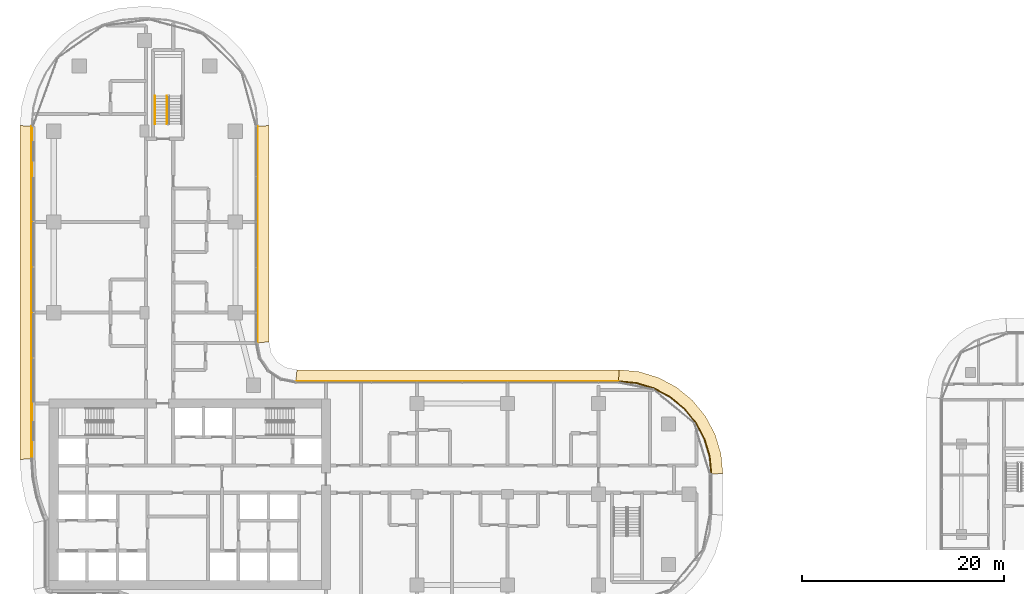
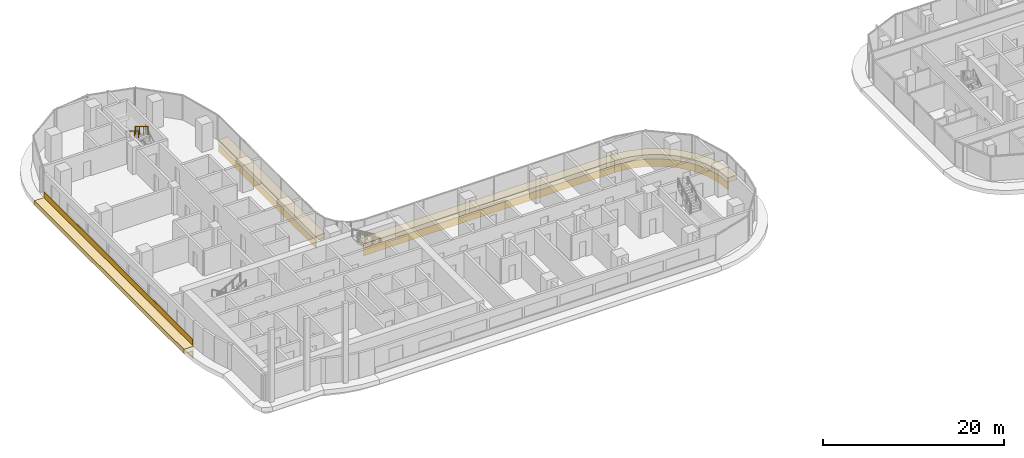
# One storey, part 32 of 36: 9 coverings, 2 railings.
"""IFC4 building model written with IfcOpenShell, lengths in metres."""

from ifc_helpers import new_model, si_unit, direction, frame, origin, origin_2d, place, context, subcontext, project, spatial, polyline, rectangle, circle, outline, extrude, material, layer, layer_set, type_object, element, save


model = new_model("IFC4")

# Units and contexts
model_context = context("Model", 3, precision=1e-05, world=origin(), true_north=direction((0.0, 1.0)))
body_context = subcontext(model_context, "Body", "Model", "MODEL_VIEW")
ifc_project = project(units=[si_unit("LENGTHUNIT", "METRE"), si_unit("AREAUNIT", "SQUARE_METRE"), si_unit("VOLUMEUNIT", "CUBIC_METRE"), si_unit("PLANEANGLEUNIT", "RADIAN"), si_unit("MASSUNIT", "GRAM", prefix="KILO")], contexts=[model_context])

# Site, building, storey
site_placement = place(None, origin())
site = spatial("IfcSite", under=ifc_project, at=site_placement, CompositionType="ELEMENT")
building_placement = place(site_placement, origin())
building = spatial("IfcBuilding", under=site, at=building_placement, Name="Ogive Portal Towers", CompositionType="ELEMENT")
storey_placement = place(building_placement, frame((0.0, 0.0, 52.0)))
storey = spatial("IfcBuildingStorey", under=building, at=storey_placement, Name="L11", CompositionType="ELEMENT", Elevation=52.0)

# Railings
ifc_material_1 = material(Name="Stainless steel balustrade", Category="steel")
railing_type_1 = type_object("IfcRailingType", Name="INT-GUARD", PredefinedType="GUARDRAIL", material=ifc_material_1)
railing_1_placement = place(storey_placement, frame((42.75, 70.0, 2.01806640625)))
element("IfcRailing", 1, at=railing_1_placement, inside=storey, type_object=railing_type_1, Name="L11 ST-A3 stair guard 3", PredefinedType="GUARDRAIL", context=body_context, shape_type="SweptSolid", body=[
    extrude(circle(Radius=0.02392578125, at=origin_2d()), frame((0.0, 0.0, 1.076171875), z_axis=(0.0, -0.857242210791, 0.514913383045), x_axis=(1.0, 0.0, 0.0)), (0.0, 0.0, 1.0), 3.266357421875),
    extrude(circle(Radius=0.02099609375, at=origin_2d()), origin(), (0.0, 0.0, 1.0), 1.052001953125),
    extrude(circle(Radius=0.02099609375, at=origin_2d()), frame((0.0, -0.933349609375, 0.560546875)), (0.0, 0.0, 1.0), 1.052001953125),
    extrude(circle(Radius=0.02099609375, at=origin_2d()), frame((0.0, -1.86669921875, 1.121337890625)), (0.0, 0.0, 1.0), 1.052001953125),
    extrude(circle(Radius=0.02099609375, at=origin_2d()), frame((0.0, -2.800048828125, 1.681884765625)), (0.0, 0.0, 1.0), 1.052001953125),
])
ifc_material_2 = material(Name="Stainless steel handrail", Category="steel")
railing_type_2 = type_object("IfcRailingType", Name="INT-HANDRAIL", PredefinedType="HANDRAIL", material=ifc_material_2)
railing_2_placement = place(storey_placement, frame((41.550048828125, 70.0, 2.01806640625)))
element("IfcRailing", 2, at=railing_2_placement, inside=storey, type_object=railing_type_2, Name="L11 ST-A3 stair handrail 2", PredefinedType="HANDRAIL", context=body_context, shape_type="SweptSolid", body=[
    extrude(circle(Radius=0.02392578125, at=origin_2d()), frame((0.0, 0.0, 0.8759765625), z_axis=(0.0, -0.857242210791, 0.514913383045), x_axis=(1.0, 0.0, 0.0)), (0.0, 0.0, 1.0), 3.266357421875),
    extrude(circle(Radius=0.02099609375, at=origin_2d()), origin(), (0.0, 0.0, 1.0), 0.851806640625),
    extrude(circle(Radius=0.02099609375, at=origin_2d()), frame((0.0, -0.933349609375, 0.560546875)), (0.0, 0.0, 1.0), 0.851806640625),
    extrude(circle(Radius=0.02099609375, at=origin_2d()), frame((0.0, -1.86669921875, 1.121337890625)), (0.0, 0.0, 1.0), 0.851806640625),
    extrude(circle(Radius=0.02099609375, at=origin_2d()), frame((0.0, -2.800048828125, 1.681884765625)), (0.0, 0.0, 1.0), 0.851806640625),
])

# Coverings
ifc_material_3 = material(Name="Limestone cladding on lightweight block wall", Category="masonry")
ifc_layer_1 = layer(ifc_material_3, 0.050048828125)
ifc_layer_set_1 = layer_set([ifc_layer_1], Name="SCREEN PERFORATED STONE")
covering_type_1 = type_object("IfcCoveringType", Name="SCREEN PERFORATED STONE", PredefinedType="CLADDING", material=ifc_layer_set_1)
covering_1_placement = place(storey_placement, frame((29.330078125, 50.497802734375, 0.10009765625), z_axis=(0.0, 0.0, 1.0), x_axis=(0.0, -1.0, 0.0)))
element("IfcCovering", 3, at=covering_1_placement, inside=storey, type_object=covering_type_1, Name="Tracery screen", PredefinedType="CLADDING", context=body_context, shape_type="SweptSolid", body=[
    extrude(rectangle(XDim=32.776123046875, YDim=0.050048828125, at=origin_2d()), origin(), (0.0, 0.0, 1.0), 0.800048828125),
])
ifc_layer_2 = layer(ifc_material_3, 0.080078125)
ifc_layer_set_2 = layer_set([ifc_layer_2], Name="STONE SPANDREL 80")
covering_type_2 = type_object("IfcCoveringType", Name="STONE SPANDREL 80", PredefinedType="CLADDING", material=ifc_layer_set_2)
covering_2_placement = place(storey_placement, frame((0.0, 0.0, -1.60009765625)))
element("IfcCovering", 4, at=covering_2_placement, inside=storey, type_object=covering_type_2, Name="Stone spandrel A1-F08", PredefinedType="CLADDING", context=body_context, shape_type="SweptSolid", body=[
    extrude(outline(polyline([(96.64501953125, 32.5), (96.46923828125, 34.2841796875), (95.948974609375, 35.999755859375), (95.103759765625, 37.580810546875), (93.966552734375, 38.966552734375), (92.580810546875, 40.103759765625), (90.999755859375, 40.948974609375), (89.2841796875, 41.46923828125), (87.5, 41.64501953125), (87.50390625, 41.72509765625), (89.2998046875, 41.548095703125), (91.030517578125, 41.023193359375), (92.625244140625, 40.170654296875), (94.0234375, 39.0234375), (95.170654296875, 37.625244140625), (96.023193359375, 36.030517578125), (96.548095703125, 34.2998046875), (96.72509765625, 32.50390625), (96.64501953125, 32.5)])), origin(), (0.0, 0.0, 1.0), 1.0),
])
covering_3_placement = place(storey_placement, frame((0.0, 0.0, -1.60009765625)))
element("IfcCovering", 5, at=covering_3_placement, inside=storey, type_object=covering_type_2, Name="Stone spandrel A1-F09", PredefinedType="CLADDING", context=body_context, shape_type="SweptSolid", body=[
    extrude(outline(polyline([(87.5, 41.64501953125), (55.5, 41.64501953125), (55.5078125, 41.72509765625), (87.50390625, 41.72509765625), (87.5, 41.64501953125)])), origin(), (0.0, 0.0, 1.0), 1.0),
])
covering_4_placement = place(storey_placement, frame((0.0, 0.0, -1.60009765625)))
element("IfcCovering", 6, at=covering_4_placement, inside=storey, type_object=covering_type_2, Name="Stone spandrel A1-F11", PredefinedType="CLADDING", context=body_context, shape_type="SweptSolid", body=[
    extrude(outline(polyline([(51.64501953125, 45.5), (51.64501953125, 67.0), (51.72509765625, 67.00341796875), (51.72509765625, 45.5078125), (51.64501953125, 45.5)])), origin(), (0.0, 0.0, 1.0), 1.0),
])
covering_5_placement = place(storey_placement, frame((0.0, 0.0, -1.60009765625)))
element("IfcCovering", 7, at=covering_5_placement, inside=storey, type_object=covering_type_2, Name="Stone spandrel A1-F13", PredefinedType="CLADDING", context=body_context, shape_type="SweptSolid", body=[
    extrude(outline(polyline([(29.35498046875, 67.0), (29.35498046875, 34.0), (29.27490234375, 33.997314453125), (29.27490234375, 67.00341796875), (29.35498046875, 67.0)])), origin(), (0.0, 0.0, 1.0), 1.0),
])
ifc_layer_3 = layer(ifc_material_3, 0.60009765625)
ifc_layer_set_3 = layer_set([ifc_layer_3], Name="SUNSHADE LIP 600")
covering_type_3 = type_object("IfcCoveringType", Name="SUNSHADE LIP 600", PredefinedType="CLADDING", material=ifc_layer_set_3)
covering_6_placement = place(storey_placement, frame((0.0, 0.0, -0.60009765625)))
element("IfcCovering", 8, at=covering_6_placement, inside=storey, type_object=covering_type_3, Name="Sunshade lip A1-F08", PredefinedType="CLADDING", context=body_context, shape_type="SweptSolid", body=[
    extrude(outline(polyline([(96.64501953125, 32.5), (96.46923828125, 34.2841796875), (95.948974609375, 35.999755859375), (95.103759765625, 37.580810546875), (93.966552734375, 38.966552734375), (92.580810546875, 40.103759765625), (90.999755859375, 40.948974609375), (89.2841796875, 41.46923828125), (87.5, 41.64501953125), (87.558837890625, 42.844970703125), (89.519287109375, 42.65185546875), (91.461181640625, 42.06298828125), (93.25048828125, 41.1064453125), (94.819091796875, 39.819091796875), (96.1064453125, 38.25048828125), (97.06298828125, 36.461181640625), (97.65185546875, 34.519287109375), (97.844970703125, 32.558837890625), (96.64501953125, 32.5)])), origin(), (0.0, 0.0, 1.0), 0.60009765625),
])
covering_7_placement = place(storey_placement, frame((0.0, 0.0, -0.60009765625)))
element("IfcCovering", 9, at=covering_7_placement, inside=storey, type_object=covering_type_3, Name="Sunshade lip A1-F09", PredefinedType="CLADDING", context=body_context, shape_type="SweptSolid", body=[
    extrude(outline(polyline([(87.5, 41.64501953125), (55.5, 41.64501953125), (55.6181640625, 42.844970703125), (87.558837890625, 42.844970703125), (87.5, 41.64501953125)])), origin(), (0.0, 0.0, 1.0), 0.60009765625),
])
covering_8_placement = place(storey_placement, frame((0.0, 0.0, -0.60009765625)))
element("IfcCovering", 10, at=covering_8_placement, inside=storey, type_object=covering_type_3, Name="Sunshade lip A1-F11", PredefinedType="CLADDING", context=body_context, shape_type="SweptSolid", body=[
    extrude(outline(polyline([(51.64501953125, 45.5), (51.64501953125, 67.0), (52.844970703125, 67.052490234375), (52.844970703125, 45.6181640625), (51.64501953125, 45.5)])), origin(), (0.0, 0.0, 1.0), 0.60009765625),
])
covering_9_placement = place(storey_placement, frame((0.0, 0.0, -0.60009765625)))
element("IfcCovering", 11, at=covering_9_placement, inside=storey, type_object=covering_type_3, Name="Sunshade lip A1-F13", PredefinedType="CLADDING", context=body_context, shape_type="SweptSolid", body=[
    extrude(outline(polyline([(29.35498046875, 67.0), (29.35498046875, 34.0), (28.155029296875, 33.960693359375), (28.155029296875, 67.052490234375), (29.35498046875, 67.0)])), origin(), (0.0, 0.0, 1.0), 0.60009765625),
])

save(model, "model.ifc")
